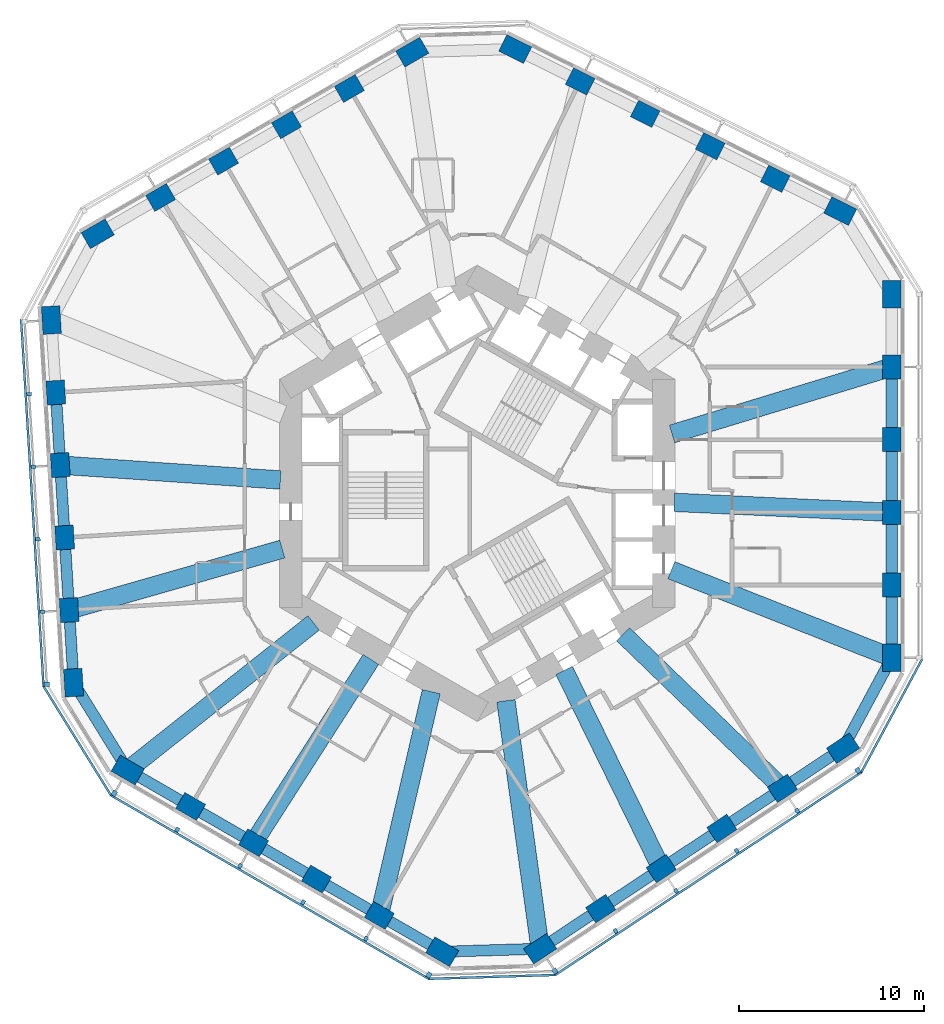
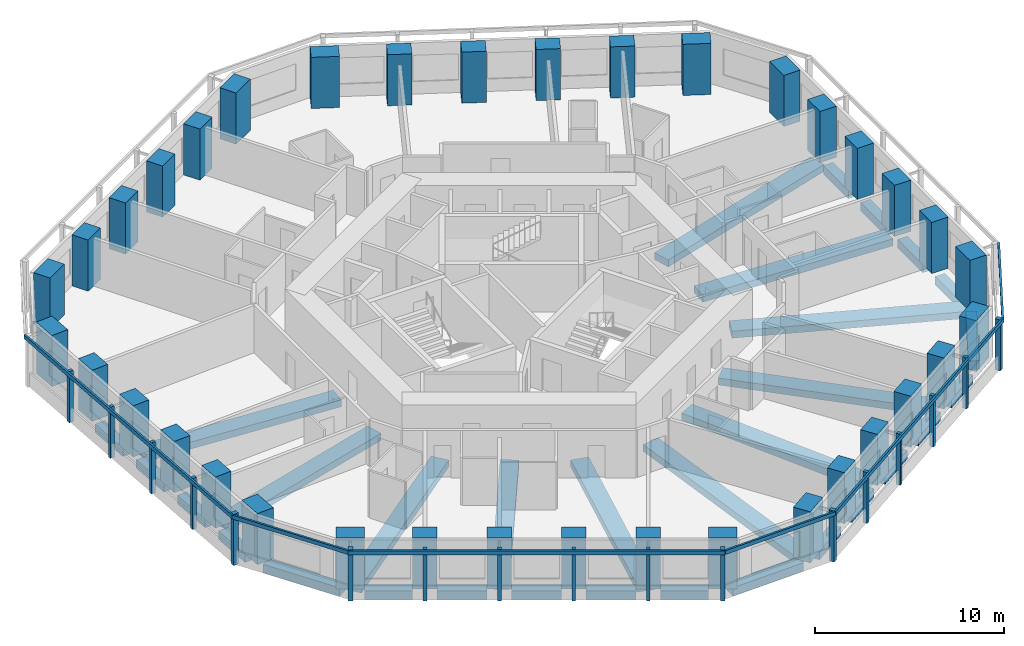
# One storey, part 1 of 12: 36 columns, 32 beams, 23 members, 6 elements without a shape of their own.
"""IFC4 building model written with IfcOpenShell, lengths in metres."""

from ifc_helpers import new_model, si_unit, direction, frame, origin, origin_2d, place, context, subcontext, project, spatial, rectangle, extrude, material, material_profile, profile_set, type_object, element, aggregate, save


model = new_model("IFC4")

# Units and contexts
model_context = context("Model", 3, precision=1e-05, world=origin(), true_north=direction((0.0, 1.0)))
body_context = subcontext(model_context, "Body", "Model", "MODEL_VIEW")
ifc_project = project(units=[si_unit("LENGTHUNIT", "METRE"), si_unit("AREAUNIT", "SQUARE_METRE"), si_unit("VOLUMEUNIT", "CUBIC_METRE"), si_unit("PLANEANGLEUNIT", "RADIAN"), si_unit("MASSUNIT", "GRAM", prefix="KILO")], contexts=[model_context])

# Site, building, storey
site_placement = place(None, origin())
site = spatial("IfcSite", under=ifc_project, at=site_placement, CompositionType="ELEMENT")
building_placement = place(site_placement, origin())
building = spatial("IfcBuilding", under=site, at=building_placement, Name="Vanh Sen Convention Tower", CompositionType="ELEMENT")
storey_placement = place(building_placement, frame((0.0, 0.0, 47.300048828125)))
storey = spatial("IfcBuildingStorey", under=building, at=storey_placement, Name="L08", CompositionType="ELEMENT", Elevation=47.300048828125)

# Columns
ifc_material_1 = material(Name="Concrete C80/95", Category="concrete")
ifc_material_profile_1 = material_profile(ifc_material_1, rectangle(XDim=1.300048828125, YDim=1.0, at=origin_2d()), Name="RC 1300X1000")
ifc_profile_set_1 = profile_set([ifc_material_profile_1], Name="Concrete C80/95")
column_type_1 = type_object("IfcColumnType", Name="Facade column 1300 x 1000 C80/95", PredefinedType="COLUMN", material=ifc_profile_set_1)
for number, where, z_axis, x_axis, name in (
    (1, (22.449951171875, -4.964599609375, 0.0), (0.0, 0.0, 1.0), (0.0, 1.0, 0.0), "Facade column 02 L08"),
    (2, (22.449951171875, -1.030029296875, 0.0), (0.0, 0.0, 1.0), (0.0, 1.0, 0.0), "Facade column 03 L08"),
    (3, (22.449951171875, 2.904541015625, 0.0), (0.0, 0.0, 1.0), (0.0, 1.0, 0.0), "Facade column 04 L08"),
    (4, (22.449951171875, 6.839111328125, 0.0), (0.0, 0.0, 1.0), (0.0, 1.0, 0.0), "Facade column 05 L08"),
    (5, (16.1376953125, 17.039794921875, 0.0), (0.0, 0.0, 1.0), (-0.894934361602, 0.44619781311, 0.0), "Facade column 08 L08"),
    (6, (12.616455078125, 18.79541015625, 0.0), (0.0, 0.0, 1.0), (-0.894934361602, 0.44619781311, 0.0), "Facade column 09 L08"),
    (7, (9.09521484375, 20.55078125, 0.0), (0.0, 0.0, 1.0), (-0.894934361602, 0.44619781311, 0.0), "Facade column 10 L08"),
    (8, (5.57421875, 22.306396484375, 0.0), (0.0, 0.0, 1.0), (-0.894934361602, 0.44619781311, 0.0), "Facade column 11 L08"),
    (9, (-6.925537109375, 21.924560546875, 0.0), (0.0, 0.0, 1.0), (-0.866025403784, -0.5, 0.0), "Facade column 14 L08"),
    (10, (-10.3330078125, 19.957275390625, 0.0), (0.0, 0.0, 1.0), (-0.866025403784, -0.5, 0.0), "Facade column 15 L08"),
    (11, (-13.740478515625, 17.989990234375, 0.0), (0.0, 0.0, 1.0), (-0.866025403784, -0.5, 0.0), "Facade column 16 L08"),
    (12, (-17.14794921875, 16.022705078125, 0.0), (0.0, 0.0, 1.0), (-0.866025403784, -0.5, 0.0), "Facade column 17 L08"),
    (13, (-22.82568359375, 5.455810546875, 0.0), (0.0, 0.0, 1.0), (0.061048539535, -0.998134798422, 0.0), "Facade column 20 L08"),
    (14, (-22.58544921875, 1.528564453125, 0.0), (0.0, 0.0, 1.0), (0.061048539535, -0.998134798422, 0.0), "Facade column 21 L08"),
    (15, (-22.34521484375, -2.398681640625, 0.0), (0.0, 0.0, 1.0), (0.061048539535, -0.998134798422, 0.0), "Facade column 22 L08"),
    (16, (-22.10498046875, -6.325927734375, 0.0), (0.0, 0.0, 1.0), (0.061048539535, -0.998134798422, 0.0), "Facade column 23 L08"),
    (17, (-15.5244140625, -16.9599609375, 0.0), (0.0, 0.0, 1.0), (0.866025403784, -0.5, 0.0), "Facade column 26 L08"),
    (18, (-12.1171875, -18.92724609375, 0.0), (0.0, 0.0, 1.0), (0.866025403784, -0.5, 0.0), "Facade column 27 L08"),
    (19, (-8.709716796875, -20.89453125, 0.0), (0.0, 0.0, 1.0), (0.866025403784, -0.5, 0.0), "Facade column 28 L08"),
    (20, (-5.302001953125, -22.86181640625, 0.0), (0.0, 0.0, 1.0), (0.866025403784, -0.5, 0.0), "Facade column 29 L08"),
    (21, (6.68798828125, -22.49560546875, 0.0), (0.0, 0.0, 1.0), (0.833885822067, 0.551936985312, 0.0), "Facade column 32 L08"),
    (22, (9.968994140625, -20.323974609375, 0.0), (0.0, 0.0, 1.0), (0.833885822067, 0.551936985312, 0.0), "Facade column 33 L08"),
    (23, (13.25, -18.152099609375, 0.0), (0.0, 0.0, 1.0), (0.833885822067, 0.551936985312, 0.0), "Facade column 34 L08"),
    (24, (16.531005859375, -15.980712890625, 0.0), (0.0, 0.0, 1.0), (0.833885822067, 0.551936985312, 0.0), "Facade column 35 L08"),
):
    element("IfcColumn", number, at=place(storey_placement, frame(where, z_axis=z_axis, x_axis=x_axis)), inside=storey, type_object=column_type_1, Name=name, PredefinedType="COLUMN", context=body_context, shape_type="SweptSolid", body=[
        extrude(rectangle(XDim=1.300048828125, YDim=1.0, at=origin_2d()), origin(), (0.0, 0.0, 1.0), 3.300048828125),
    ])
ifc_material_profile_2 = material_profile(ifc_material_1, rectangle(XDim=1.5, YDim=1.0, at=origin_2d()), Name="RC 1500X1000")
ifc_profile_set_2 = profile_set([ifc_material_profile_2], Name="Concrete C80/95")
column_type_2 = type_object("IfcColumnType", Name="Facade corner column 1500 x 1000 C80/95", PredefinedType="COLUMN", material=ifc_profile_set_2)
for number, where, z_axis, x_axis, name in (
    (25, (22.449951171875, -8.899169921875, 0.0), (0.0, 0.0, 1.0), (0.0, 1.0, 0.0), "Facade column 01 L08"),
    (26, (22.449951171875, 10.773681640625, 0.0), (0.0, 0.0, 1.0), (0.0, 1.0, 0.0), "Facade column 06 L08"),
    (27, (19.658935546875, 15.2841796875, 0.0), (0.0, 0.0, 1.0), (-0.894934361602, 0.44619781311, 0.0), "Facade column 07 L08"),
    (28, (2.052978515625, 24.06201171875, 0.0), (0.0, 0.0, 1.0), (-0.894934361602, 0.44619781311, 0.0), "Facade column 12 L08"),
    (29, (-3.51806640625, 23.891845703125, 0.0), (0.0, 0.0, 1.0), (-0.866025403784, -0.5, 0.0), "Facade column 13 L08"),
    (30, (-20.555419921875, 14.055419921875, 0.0), (0.0, 0.0, 1.0), (-0.866025403784, -0.5, 0.0), "Facade column 18 L08"),
    (31, (-23.06591796875, 9.383056640625, 0.0), (0.0, 0.0, 1.0), (0.061048539535, -0.998134798422, 0.0), "Facade column 19 L08"),
    (32, (-21.86474609375, -10.253173828125, 0.0), (0.0, 0.0, 1.0), (0.061048539535, -0.998134798422, 0.0), "Facade column 24 L08"),
    (33, (-18.931884765625, -14.99267578125, 0.0), (0.0, 0.0, 1.0), (0.866025403784, -0.5, 0.0), "Facade column 25 L08"),
    (34, (-1.894775390625, -24.8291015625, 0.0), (0.0, 0.0, 1.0), (0.866025403784, -0.5, 0.0), "Facade column 30 L08"),
    (35, (3.406982421875, -24.6669921875, 0.0), (0.0, 0.0, 1.0), (0.833885822067, 0.551936985312, 0.0), "Facade column 31 L08"),
    (36, (19.81201171875, -13.808837890625, 0.0), (0.0, 0.0, 1.0), (0.833885822067, 0.551936985312, 0.0), "Facade column 36 L08"),
):
    element("IfcColumn", number, at=place(storey_placement, frame(where, z_axis=z_axis, x_axis=x_axis)), inside=storey, type_object=column_type_2, Name=name, PredefinedType="COLUMN", context=body_context, shape_type="SweptSolid", body=[
        extrude(rectangle(XDim=1.5, YDim=1.0, at=origin_2d()), origin(), (0.0, 0.0, 1.0), 3.300048828125),
    ])

# Curtain wall, member
ifc_material_2 = material(Name="Concrete C50/60", Category="concrete")
curtain_wall_type = type_object("IfcCurtainWallType", Name="Outer skin hotel zone", PredefinedType="NOTDEFINED", material=ifc_material_2)
curtain_wall_1_placement = place(storey_placement, origin())
curtain_wall_1 = element("IfcCurtainWall", 37, at=curtain_wall_1_placement, inside=storey, type_object=curtain_wall_type, Name="OUTER SKIN W L08", PredefinedType="NOTDEFINED")
ifc_material_profile_3 = material_profile(ifc_material_2, rectangle(XDim=0.25, YDim=0.300048828125, at=origin_2d()), Name="Outer skin precast corner fin 250 x 300")
ifc_profile_set_3 = profile_set([ifc_material_profile_3], Name="Concrete C50/60")
member_type_1 = type_object("IfcMemberType", Name="Outer skin precast corner fin 250 x 300", PredefinedType="MULLION", material=ifc_profile_set_3)
member_1_placement = place(storey_placement, frame((-23.31201171875, -10.341796875, 0.0), z_axis=(0.0, 0.0, 1.0), x_axis=(0.061048539535, -0.998134798422, 0.0)))
member_1 = element("IfcMember", 38, at=member_1_placement, type_object=member_type_1, Name="OUTER SKIN CORNER FIN 6 W L08", PredefinedType="MULLION", context=body_context, shape_type="SweptSolid", body=[
    extrude(rectangle(XDim=0.25, YDim=0.300048828125, at=origin_2d()), origin(), (0.0, 0.0, 1.0), 3.300048828125),
])

# Curtain wall, members
curtain_wall_2_placement = place(storey_placement, origin())
curtain_wall_2 = element("IfcCurtainWall", 39, at=curtain_wall_2_placement, inside=storey, type_object=curtain_wall_type, Name="OUTER SKIN SW L08", PredefinedType="NOTDEFINED")
member_2_placement = place(storey_placement, frame((-19.656982421875, -16.248291015625, 0.0), z_axis=(0.0, 0.0, 1.0), x_axis=(0.866025403784, -0.5, 0.0)))
member_2 = element("IfcMember", 40, at=member_2_placement, type_object=member_type_1, Name="OUTER SKIN CORNER FIN 1 SW L08", PredefinedType="MULLION", context=body_context, shape_type="SweptSolid", body=[
    extrude(rectangle(XDim=0.25, YDim=0.300048828125, at=origin_2d()), origin(), (0.0, 0.0, 1.0), 3.300048828125),
])
member_3_placement = place(storey_placement, frame((-2.61962890625, -26.084716796875, 0.0), z_axis=(0.0, 0.0, 1.0), x_axis=(0.866025403784, -0.5, 0.0)))
member_3 = element("IfcMember", 41, at=member_3_placement, type_object=member_type_1, Name="OUTER SKIN CORNER FIN 6 SW L08", PredefinedType="MULLION", context=body_context, shape_type="SweptSolid", body=[
    extrude(rectangle(XDim=0.25, YDim=0.300048828125, at=origin_2d()), origin(), (0.0, 0.0, 1.0), 3.300048828125),
])

curtain_wall_3_placement = place(storey_placement, origin())
curtain_wall_3 = element("IfcCurtainWall", 42, at=curtain_wall_3_placement, inside=storey, type_object=curtain_wall_type, Name="OUTER SKIN SE L08", PredefinedType="NOTDEFINED")
member_4_placement = place(storey_placement, frame((4.207275390625, -25.876220703125, 0.0), z_axis=(0.0, 0.0, 1.0), x_axis=(0.833885822067, 0.551936985312, 0.0)))
member_4 = element("IfcMember", 43, at=member_4_placement, type_object=member_type_1, Name="OUTER SKIN CORNER FIN 1 SE L08", PredefinedType="MULLION", context=body_context, shape_type="SweptSolid", body=[
    extrude(rectangle(XDim=0.25, YDim=0.300048828125, at=origin_2d()), origin(), (0.0, 0.0, 1.0), 3.300048828125),
])
member_5_placement = place(storey_placement, frame((20.6123046875, -15.01806640625, 0.0), z_axis=(0.0, 0.0, 1.0), x_axis=(0.833885822067, 0.551936985312, 0.0)))
member_5 = element("IfcMember", 44, at=member_5_placement, type_object=member_type_1, Name="OUTER SKIN CORNER FIN 6 SE L08", PredefinedType="MULLION", context=body_context, shape_type="SweptSolid", body=[
    extrude(rectangle(XDim=0.25, YDim=0.300048828125, at=origin_2d()), origin(), (0.0, 0.0, 1.0), 3.300048828125),
])

# Member
ifc_material_profile_4 = material_profile(ifc_material_2, rectangle(XDim=0.199951171875, YDim=0.25, at=origin_2d()), Name="Outer skin precast fin 200 x 250")
ifc_profile_set_4 = profile_set([ifc_material_profile_4], Name="Concrete C50/60")
member_type_2 = type_object("IfcMemberType", Name="Outer skin precast fin 200 x 250", PredefinedType="MULLION", material=ifc_profile_set_4)
member_6_placement = place(storey_placement, frame((-24.27294921875, 5.3671875, 0.0), z_axis=(0.0, 0.0, 1.0), x_axis=(0.061048539535, -0.998134798422, 0.0)))
member_6 = element("IfcMember", 45, at=member_6_placement, type_object=member_type_2, Name="OUTER SKIN fin 2 W L08", PredefinedType="MULLION", context=body_context, shape_type="SweptSolid", body=[
    extrude(rectangle(XDim=0.199951171875, YDim=0.25, at=origin_2d()), origin(), (0.0, 0.0, 1.0), 3.300048828125),
])

member_7_placement = place(storey_placement, frame((-24.03271484375, 1.440185546875, 0.0), z_axis=(0.0, 0.0, 1.0), x_axis=(0.061048539535, -0.998134798422, 0.0)))
member_7 = element("IfcMember", 46, at=member_7_placement, type_object=member_type_2, Name="OUTER SKIN fin 3 W L08", PredefinedType="MULLION", context=body_context, shape_type="SweptSolid", body=[
    extrude(rectangle(XDim=0.199951171875, YDim=0.25, at=origin_2d()), origin(), (0.0, 0.0, 1.0), 3.300048828125),
])

member_8_placement = place(storey_placement, frame((-23.79248046875, -2.4873046875, 0.0), z_axis=(0.0, 0.0, 1.0), x_axis=(0.061048539535, -0.998134798422, 0.0)))
member_8 = element("IfcMember", 47, at=member_8_placement, type_object=member_type_2, Name="OUTER SKIN fin 4 W L08", PredefinedType="MULLION", context=body_context, shape_type="SweptSolid", body=[
    extrude(rectangle(XDim=0.199951171875, YDim=0.25, at=origin_2d()), origin(), (0.0, 0.0, 1.0), 3.300048828125),
])

member_9_placement = place(storey_placement, frame((-23.55224609375, -6.414306640625, 0.0), z_axis=(0.0, 0.0, 1.0), x_axis=(0.061048539535, -0.998134798422, 0.0)))
member_9 = element("IfcMember", 48, at=member_9_placement, type_object=member_type_2, Name="OUTER SKIN fin 5 W L08", PredefinedType="MULLION", context=body_context, shape_type="SweptSolid", body=[
    extrude(rectangle(XDim=0.199951171875, YDim=0.25, at=origin_2d()), origin(), (0.0, 0.0, 1.0), 3.300048828125),
])

member_10_placement = place(storey_placement, frame((-16.24951171875, -18.2158203125, 0.0), z_axis=(0.0, 0.0, 1.0), x_axis=(0.866025403784, -0.5, 0.0)))
member_10 = element("IfcMember", 49, at=member_10_placement, type_object=member_type_2, Name="OUTER SKIN fin 2 SW L08", PredefinedType="MULLION", context=body_context, shape_type="SweptSolid", body=[
    extrude(rectangle(XDim=0.199951171875, YDim=0.25, at=origin_2d()), origin(), (0.0, 0.0, 1.0), 3.300048828125),
])

member_11_placement = place(storey_placement, frame((-12.842041015625, -20.182861328125, 0.0), z_axis=(0.0, 0.0, 1.0), x_axis=(0.866025403784, -0.5, 0.0)))
member_11 = element("IfcMember", 50, at=member_11_placement, type_object=member_type_2, Name="OUTER SKIN fin 3 SW L08", PredefinedType="MULLION", context=body_context, shape_type="SweptSolid", body=[
    extrude(rectangle(XDim=0.199951171875, YDim=0.25, at=origin_2d()), origin(), (0.0, 0.0, 1.0), 3.300048828125),
])

member_12_placement = place(storey_placement, frame((-9.4345703125, -22.150146484375, 0.0), z_axis=(0.0, 0.0, 1.0), x_axis=(0.866025403784, -0.5, 0.0)))
member_12 = element("IfcMember", 51, at=member_12_placement, type_object=member_type_2, Name="OUTER SKIN fin 4 SW L08", PredefinedType="MULLION", context=body_context, shape_type="SweptSolid", body=[
    extrude(rectangle(XDim=0.199951171875, YDim=0.25, at=origin_2d()), origin(), (0.0, 0.0, 1.0), 3.300048828125),
])

member_13_placement = place(storey_placement, frame((-6.027099609375, -24.117431640625, 0.0), z_axis=(0.0, 0.0, 1.0), x_axis=(0.866025403784, -0.5, 0.0)))
member_13 = element("IfcMember", 52, at=member_13_placement, type_object=member_type_2, Name="OUTER SKIN fin 5 SW L08", PredefinedType="MULLION", context=body_context, shape_type="SweptSolid", body=[
    extrude(rectangle(XDim=0.199951171875, YDim=0.25, at=origin_2d()), origin(), (0.0, 0.0, 1.0), 3.300048828125),
])

member_14_placement = place(storey_placement, frame((7.48828125, -23.70458984375, 0.0), z_axis=(0.0, 0.0, 1.0), x_axis=(0.833885822067, 0.551936985312, 0.0)))
member_14 = element("IfcMember", 53, at=member_14_placement, type_object=member_type_2, Name="OUTER SKIN fin 2 SE L08", PredefinedType="MULLION", context=body_context, shape_type="SweptSolid", body=[
    extrude(rectangle(XDim=0.199951171875, YDim=0.25, at=origin_2d()), origin(), (0.0, 0.0, 1.0), 3.300048828125),
])

member_15_placement = place(storey_placement, frame((10.769287109375, -21.532958984375, 0.0), z_axis=(0.0, 0.0, 1.0), x_axis=(0.833885822067, 0.551936985312, 0.0)))
member_15 = element("IfcMember", 54, at=member_15_placement, type_object=member_type_2, Name="OUTER SKIN fin 3 SE L08", PredefinedType="MULLION", context=body_context, shape_type="SweptSolid", body=[
    extrude(rectangle(XDim=0.199951171875, YDim=0.25, at=origin_2d()), origin(), (0.0, 0.0, 1.0), 3.300048828125),
])

member_16_placement = place(storey_placement, frame((14.05029296875, -19.361328125, 0.0), z_axis=(0.0, 0.0, 1.0), x_axis=(0.833885822067, 0.551936985312, 0.0)))
member_16 = element("IfcMember", 55, at=member_16_placement, type_object=member_type_2, Name="OUTER SKIN fin 4 SE L08", PredefinedType="MULLION", context=body_context, shape_type="SweptSolid", body=[
    extrude(rectangle(XDim=0.199951171875, YDim=0.25, at=origin_2d()), origin(), (0.0, 0.0, 1.0), 3.300048828125),
])

member_17_placement = place(storey_placement, frame((17.331298828125, -17.189697265625, 0.0), z_axis=(0.0, 0.0, 1.0), x_axis=(0.833885822067, 0.551936985312, 0.0)))
member_17 = element("IfcMember", 56, at=member_17_placement, type_object=member_type_2, Name="OUTER SKIN fin 5 SE L08", PredefinedType="MULLION", context=body_context, shape_type="SweptSolid", body=[
    extrude(rectangle(XDim=0.199951171875, YDim=0.25, at=origin_2d()), origin(), (0.0, 0.0, 1.0), 3.300048828125),
])

ifc_material_profile_5 = material_profile(ifc_material_2, rectangle(XDim=0.1201171875, YDim=0.25, at=origin_2d()), Name="Outer skin precast spandrel band 250 x 120")
ifc_profile_set_5 = profile_set([ifc_material_profile_5], Name="Concrete C50/60")
member_type_3 = type_object("IfcMemberType", Name="Outer skin precast spandrel band 250 x 120", PredefinedType="USERDEFINED", material=ifc_profile_set_5)
member_18_placement = place(storey_placement, frame((-24.705322265625, 9.408203125, 3.175048828125), z_axis=(0.061050017989, -0.998134707995, 0.0), x_axis=(0.998134707995, 0.061050017989, 0.0)))
member_18 = element("IfcMember", 57, at=member_18_placement, type_object=member_type_3, Name="OUTER SKIN spandrel band W L08", ObjectType="TRANSOM", PredefinedType="USERDEFINED", context=body_context, shape_type="SweptSolid", body=[
    extrude(rectangle(XDim=0.1201171875, YDim=0.25, at=origin_2d()), origin(), (0.0, 0.0, 1.0), 19.923095703125),
])

aggregate(curtain_wall_1, [member_6, member_7, member_8, member_9, member_1, member_18])

# Curtain wall, member
curtain_wall_4_placement = place(storey_placement, origin())
curtain_wall_4 = element("IfcCurtainWall", 58, at=curtain_wall_4_placement, inside=storey, type_object=curtain_wall_type, Name="OUTER SKIN CH4 L08", PredefinedType="NOTDEFINED")
member_19_placement = place(storey_placement, frame((-23.49072265625, -10.4521484375, 3.175048828125), z_axis=(0.526196095141, -0.850363257354, 0.0), x_axis=(0.850363257354, 0.526196095141, 0.0)))
member_19 = element("IfcMember", 59, at=member_19_placement, type_object=member_type_3, Name="OUTER SKIN spandrel band CH4 L08", ObjectType="TRANSOM", PredefinedType="USERDEFINED", context=body_context, shape_type="SweptSolid", body=[
    extrude(rectangle(XDim=0.1201171875, YDim=0.25, at=origin_2d()), origin(), (0.0, 0.0, 1.0), 6.946044921875),
])
aggregate(curtain_wall_4, [member_19])

# Member
member_20_placement = place(storey_placement, frame((-19.85791015625, -16.34619140625, 3.175048828125), z_axis=(0.866028047459, -0.499995420993, 0.0), x_axis=(0.499995420993, 0.866028047459, 0.0)))
member_20 = element("IfcMember", 60, at=member_20_placement, type_object=member_type_3, Name="OUTER SKIN spandrel band SW L08", ObjectType="TRANSOM", PredefinedType="USERDEFINED", context=body_context, shape_type="SweptSolid", body=[
    extrude(rectangle(XDim=0.1201171875, YDim=0.25, at=origin_2d()), origin(), (0.0, 0.0, 1.0), 19.923095703125),
])

aggregate(curtain_wall_2, [member_2, member_10, member_11, member_12, member_13, member_3, member_20])

# Curtain wall, member
curtain_wall_5_placement = place(storey_placement, origin())
curtain_wall_5 = element("IfcCurtainWall", 61, at=curtain_wall_5_placement, inside=storey, type_object=curtain_wall_type, Name="OUTER SKIN CH5 L08", PredefinedType="NOTDEFINED")
member_21_placement = place(storey_placement, frame((-2.61328125, -26.294677734375, 3.175048828125), z_axis=(0.99953396928, 0.030526124156, 0.0), x_axis=(-0.030526124156, 0.99953396928, 0.0)))
member_21 = element("IfcMember", 62, at=member_21_placement, type_object=member_type_3, Name="OUTER SKIN spandrel band CH5 L08", ObjectType="TRANSOM", PredefinedType="USERDEFINED", context=body_context, shape_type="SweptSolid", body=[
    extrude(rectangle(XDim=0.1201171875, YDim=0.25, at=origin_2d()), origin(), (0.0, 0.0, 1.0), 6.830078125),
])
aggregate(curtain_wall_5, [member_21])

# Member
member_22_placement = place(storey_placement, frame((4.205078125, -26.099609375, 3.175048828125), z_axis=(0.833883851182, 0.551939962984, 0.0), x_axis=(-0.551939962984, 0.833883851182, 0.0)))
member_22 = element("IfcMember", 63, at=member_22_placement, type_object=member_type_3, Name="OUTER SKIN spandrel band SE L08", ObjectType="TRANSOM", PredefinedType="USERDEFINED", context=body_context, shape_type="SweptSolid", body=[
    extrude(rectangle(XDim=0.1201171875, YDim=0.25, at=origin_2d()), origin(), (0.0, 0.0, 1.0), 19.923095703125),
])

aggregate(curtain_wall_3, [member_4, member_14, member_15, member_16, member_17, member_5, member_22])

# Curtain wall, member
curtain_wall_6_placement = place(storey_placement, origin())
curtain_wall_6 = element("IfcCurtainWall", 64, at=curtain_wall_6_placement, inside=storey, type_object=curtain_wall_type, Name="OUTER SKIN CH6 L08", PredefinedType="NOTDEFINED")
member_23_placement = place(storey_placement, frame((20.797119140625, -15.117431640625, 3.175048828125), z_axis=(0.473324148816, 0.880888330123, 0.0), x_axis=(-0.880888330123, 0.473324148816, 0.0)))
member_23 = element("IfcMember", 65, at=member_23_placement, type_object=member_type_3, Name="OUTER SKIN spandrel band CH6 L08", ObjectType="TRANSOM", PredefinedType="USERDEFINED", context=body_context, shape_type="SweptSolid", body=[
    extrude(rectangle(XDim=0.1201171875, YDim=0.25, at=origin_2d()), origin(), (0.0, 0.0, 1.0), 6.9462890625),
])
aggregate(curtain_wall_6, [member_23])

# Beams
ifc_material_3 = material(Name="Concrete C50/60", Category="concrete")
ifc_material_profile_6 = material_profile(ifc_material_3, rectangle(XDim=1.0, YDim=0.449951171875, at=origin_2d()), Name="RC 1000X450")
ifc_profile_set_6 = profile_set([ifc_material_profile_6], Name="Concrete C50/60")
beam_type_1 = type_object("IfcBeamType", Name="Radial floor beam 1000 x 450", PredefinedType="BEAM", material=ifc_profile_set_6)
beam_1_placement = place(storey_placement, frame((22.138916015625, -8.77587890625, -0.47509765625), z_axis=(-0.929624483463, 0.368508235655, 0.0), x_axis=(-0.368508235655, -0.929624483463, 0.0)))
element("IfcBeam", 66, at=beam_1_placement, inside=storey, type_object=beam_type_1, Name="Radial beam 01 L08", PredefinedType="BEAM", context=body_context, shape_type="SweptSolid", body=[
    extrude(rectangle(XDim=1.0, YDim=0.449951171875, at=origin_2d()), origin(), (0.0, 0.0, 1.0), 12.50830078125),
])
beam_2_placement = place(storey_placement, frame((21.977783203125, -1.00830078125, -0.47509765625), z_axis=(-0.998949774884, 0.045818634401, 0.0), x_axis=(-0.045818634401, -0.998949774884, 0.0)))
element("IfcBeam", 67, at=beam_2_placement, inside=storey, type_object=beam_type_1, Name="Radial beam 02 L08", PredefinedType="BEAM", context=body_context, shape_type="SweptSolid", body=[
    extrude(rectangle(XDim=1.0, YDim=0.449951171875, at=origin_2d()), origin(), (0.0, 0.0, 1.0), 11.317626953125),
])
beam_3_placement = place(storey_placement, frame((22.1005859375, 6.732666015625, -0.47509765625), z_axis=(-0.95659843119, -0.291409405211, 0.0), x_axis=(0.291409405211, -0.95659843119, 0.0)))
element("IfcBeam", 68, at=beam_3_placement, inside=storey, type_object=beam_type_1, Name="Radial beam 03 L08", PredefinedType="BEAM", context=body_context, shape_type="SweptSolid", body=[
    extrude(rectangle(XDim=1.0, YDim=0.449951171875, at=origin_2d()), origin(), (0.0, 0.0, 1.0), 12.0751953125),
])
beam_4_placement = place(storey_placement, frame((-22.15185546875, 1.499267578125, -0.47509765625), z_axis=(0.997718156648, -0.067516515721, 0.0), x_axis=(0.067516515721, 0.997718156648, 0.0)))
element("IfcBeam", 69, at=beam_4_placement, inside=storey, type_object=beam_type_1, Name="Radial beam 11 L08", PredefinedType="BEAM", context=body_context, shape_type="SweptSolid", body=[
    extrude(rectangle(XDim=1.0, YDim=0.449951171875, at=origin_2d()), origin(), (0.0, 0.0, 1.0), 11.51708984375),
])
beam_5_placement = place(storey_placement, frame((-21.723876953125, -6.216796875, -0.47509765625), z_axis=(0.961405669021, 0.275134766203, 0.0), x_axis=(-0.275134766203, 0.961405669021, 0.0)))
element("IfcBeam", 70, at=beam_5_placement, inside=storey, type_object=beam_type_1, Name="Radial beam 12 L08", PredefinedType="BEAM", context=body_context, shape_type="SweptSolid", body=[
    extrude(rectangle(XDim=1.0, YDim=0.449951171875, at=origin_2d()), origin(), (0.0, 0.0, 1.0), 11.614501953125),
])
beam_6_placement = place(storey_placement, frame((-18.669677734375, -14.784912109375, -0.47509765625), z_axis=(0.783946075621, 0.620828922102, 0.0), x_axis=(-0.620828922102, 0.783946075621, 0.0)))
element("IfcBeam", 71, at=beam_6_placement, inside=storey, type_object=beam_type_1, Name="Radial beam 13 L08", PredefinedType="BEAM", context=body_context, shape_type="SweptSolid", body=[
    extrude(rectangle(XDim=1.0, YDim=0.449951171875, at=origin_2d()), origin(), (0.0, 0.0, 1.0), 12.508056640625),
])
beam_7_placement = place(storey_placement, frame((-11.8623046875, -18.529296875, -0.47509765625), z_axis=(0.539168157523, 0.842198134594, 0.0), x_axis=(-0.842198134594, 0.539168157523, 0.0)))
element("IfcBeam", 72, at=beam_7_placement, inside=storey, type_object=beam_type_1, Name="Radial beam 14 L08", PredefinedType="BEAM", context=body_context, shape_type="SweptSolid", body=[
    extrude(rectangle(XDim=1.0, YDim=0.449951171875, at=origin_2d()), origin(), (0.0, 0.0, 1.0), 11.31787109375),
])
beam_8_placement = place(storey_placement, frame((-5.219482421875, -22.505859375, -0.47509765625), z_axis=(0.225921069531, 0.974145610441, 0.0), x_axis=(-0.974145610441, 0.225921069531, 0.0)))
element("IfcBeam", 73, at=beam_8_placement, inside=storey, type_object=beam_type_1, Name="Radial beam 15 L08", PredefinedType="BEAM", context=body_context, shape_type="SweptSolid", body=[
    extrude(rectangle(XDim=1.0, YDim=0.449951171875, at=origin_2d()), origin(), (0.0, 0.0, 1.0), 12.0751953125),
])
beam_9_placement = place(storey_placement, frame((3.364501953125, -24.3603515625, -0.47509765625), z_axis=(-0.136807007089, 0.990597719971, 0.0), x_axis=(-0.990597719971, -0.136807007089, 0.0)))
element("IfcBeam", 74, at=beam_9_placement, inside=storey, type_object=beam_type_1, Name="Radial beam 16 L08", PredefinedType="BEAM", context=body_context, shape_type="SweptSolid", body=[
    extrude(rectangle(XDim=1.0, YDim=0.449951171875, at=origin_2d()), origin(), (0.0, 0.0, 1.0), 13.24853515625),
])
beam_10_placement = place(storey_placement, frame((9.777587890625, -19.933837890625, -0.47509765625), z_axis=(-0.440374700847, 0.897814080339, 0.0), x_axis=(-0.897814080339, -0.440374700847, 0.0)))
element("IfcBeam", 75, at=beam_10_placement, inside=storey, type_object=beam_type_1, Name="Radial beam 17 L08", PredefinedType="BEAM", context=body_context, shape_type="SweptSolid", body=[
    extrude(rectangle(XDim=1.0, YDim=0.449951171875, at=origin_2d()), origin(), (0.0, 0.0, 1.0), 11.516845703125),
])
beam_11_placement = place(storey_placement, frame((16.245849609375, -15.705078125, -0.47509765625), z_axis=(-0.718976471313, 0.695034411881, 0.0), x_axis=(-0.695034411881, -0.718976471313, 0.0)))
element("IfcBeam", 76, at=beam_11_placement, inside=storey, type_object=beam_type_1, Name="Radial beam 18 L08", PredefinedType="BEAM", context=body_context, shape_type="SweptSolid", body=[
    extrude(rectangle(XDim=1.0, YDim=0.449951171875, at=origin_2d()), origin(), (0.0, 0.0, 1.0), 11.614501953125),
])
ifc_material_profile_7 = material_profile(ifc_material_3, rectangle(XDim=0.60009765625, YDim=0.550048828125, at=origin_2d()), Name="RC 600X550")
ifc_profile_set_7 = profile_set([ifc_material_profile_7], Name="Concrete C50/60")
beam_type_2 = type_object("IfcBeamType", Name="Spandrel beam 600 x 550", PredefinedType="SPANDREL", material=ifc_profile_set_7)
beam_12_placement = place(storey_placement, frame((22.449951171875, -8.154296875, -0.525146484375), z_axis=(0.0, 1.0, 0.0), x_axis=(-1.0, 0.0, 0.0)))
element("IfcBeam", 77, at=beam_12_placement, inside=storey, type_object=beam_type_2, Name="Spandrel beam 01 L08", PredefinedType="SPANDREL", context=body_context, shape_type="SweptSolid", body=[
    extrude(rectangle(XDim=0.60009765625, YDim=0.550048828125, at=origin_2d()), origin(), (0.0, 0.0, 1.0), 2.544677734375),
])
for number, where, z_axis, x_axis, name in (
    (78, (22.449951171875, -4.319580078125, -0.525146484375), (0.0, 1.0, 0.0), (-1.0, 0.0, 0.0), "Spandrel beam 02 L08"),
    (79, (22.449951171875, -0.385009765625, -0.525146484375), (0.0, 1.0, 0.0), (-1.0, 0.0, 0.0), "Spandrel beam 03 L08"),
    (80, (22.449951171875, 3.549560546875, -0.525146484375), (0.0, 1.0, 0.0), (-1.0, 0.0, 0.0), "Spandrel beam 04 L08"),
    (81, (-22.7861328125, 4.81201171875, -0.525146484375), (0.061021844318, -0.998136430813, 0.0), (0.998136430813, 0.061021844318, 0.0), "Spandrel beam 20 L08"),
    (82, (-22.5458984375, 0.884765625, -0.525146484375), (0.061021844318, -0.998136430813, 0.0), (0.998136430813, 0.061021844318, 0.0), "Spandrel beam 21 L08"),
    (83, (-22.305908203125, -3.04248046875, -0.525146484375), (0.061113817246, -0.998130803723, 0.0), (0.998130803723, 0.061113817246, 0.0), "Spandrel beam 22 L08"),
):
    element("IfcBeam", number, at=place(storey_placement, frame(where, z_axis=z_axis, x_axis=x_axis)), inside=storey, type_object=beam_type_2, Name=name, PredefinedType="SPANDREL", context=body_context, shape_type="SweptSolid", body=[
        extrude(rectangle(XDim=0.60009765625, YDim=0.550048828125, at=origin_2d()), origin(), (0.0, 0.0, 1.0), 2.64453125),
    ])
beam_13_placement = place(storey_placement, frame((-22.065673828125, -6.9697265625, -0.525146484375), z_axis=(0.061022277531, -0.998136404328, 0.0), x_axis=(0.998136404328, 0.061022277531, 0.0)))
element("IfcBeam", 84, at=beam_13_placement, inside=storey, type_object=beam_type_2, Name="Spandrel beam 23 L08", PredefinedType="SPANDREL", context=body_context, shape_type="SweptSolid", body=[
    extrude(rectangle(XDim=0.60009765625, YDim=0.550048828125, at=origin_2d()), origin(), (0.0, 0.0, 1.0), 2.54443359375),
])
beam_14_placement = place(storey_placement, frame((-21.605224609375, -10.672607421875, -0.525146484375), z_axis=(0.526195204359, -0.850363808561, 0.0), x_axis=(0.850363808561, 0.526195204359, 0.0)))
element("IfcBeam", 85, at=beam_14_placement, inside=storey, type_object=beam_type_2, Name="Spandrel beam 24 L08", PredefinedType="SPANDREL", context=body_context, shape_type="SweptSolid", body=[
    extrude(rectangle(XDim=0.60009765625, YDim=0.550048828125, at=origin_2d()), origin(), (0.0, 0.0, 1.0), 4.58740234375),
])
beam_15_placement = place(storey_placement, frame((-18.286865234375, -15.365234375, -0.525146484375), z_axis=(0.866056180903, -0.499946688677, 0.0), x_axis=(0.499946688677, 0.866056180903, 0.0)))
element("IfcBeam", 86, at=beam_15_placement, inside=storey, type_object=beam_type_2, Name="Spandrel beam 25 L08", PredefinedType="SPANDREL", context=body_context, shape_type="SweptSolid", body=[
    extrude(rectangle(XDim=0.60009765625, YDim=0.550048828125, at=origin_2d()), origin(), (0.0, 0.0, 1.0), 2.544677734375),
])
beam_16_placement = place(storey_placement, frame((-14.9658203125, -17.282470703125, -0.525146484375), z_axis=(0.866007234284, -0.500031469177, 0.0), x_axis=(0.500031469177, 0.866007234284, 0.0)))
element("IfcBeam", 87, at=beam_16_placement, inside=storey, type_object=beam_type_2, Name="Spandrel beam 26 L08", PredefinedType="SPANDREL", context=body_context, shape_type="SweptSolid", body=[
    extrude(rectangle(XDim=0.60009765625, YDim=0.550048828125, at=origin_2d()), origin(), (0.0, 0.0, 1.0), 2.644287109375),
])
for number, where, z_axis, x_axis, name in (
    (88, (-11.55859375, -19.249755859375, -0.525146484375), (0.866030315638, -0.499991492324, 0.0), (0.499991492324, 0.866030315638, 0.0), "Spandrel beam 27 L08"),
    (89, (-8.15087890625, -21.217041015625, -0.525146484375), (0.866030315638, -0.499991492324, 0.0), (0.499991492324, 0.866030315638, 0.0), "Spandrel beam 28 L08"),
):
    element("IfcBeam", number, at=place(storey_placement, frame(where, z_axis=z_axis, x_axis=x_axis)), inside=storey, type_object=beam_type_2, Name=name, PredefinedType="SPANDREL", context=body_context, shape_type="SweptSolid", body=[
        extrude(rectangle(XDim=0.60009765625, YDim=0.550048828125, at=origin_2d()), origin(), (0.0, 0.0, 1.0), 2.64453125),
    ])
beam_17_placement = place(storey_placement, frame((-4.743408203125, -23.184326171875, -0.525146484375), z_axis=(0.866032197868, -0.499988232117, 0.0), x_axis=(0.499988232117, 0.866032197868, 0.0)))
element("IfcBeam", 90, at=beam_17_placement, inside=storey, type_object=beam_type_2, Name="Spandrel beam 29 L08", PredefinedType="SPANDREL", context=body_context, shape_type="SweptSolid", body=[
    extrude(rectangle(XDim=0.60009765625, YDim=0.550048828125, at=origin_2d()), origin(), (0.0, 0.0, 1.0), 2.54443359375),
])
beam_18_placement = place(storey_placement, frame((-1.4345703125, -24.81494140625, -0.525146484375), z_axis=(0.999534100542, 0.030521825872, 0.0), x_axis=(-0.030521825872, 0.999534100542, 0.0)))
element("IfcBeam", 91, at=beam_18_placement, inside=storey, type_object=beam_type_2, Name="Spandrel beam 30 L08", PredefinedType="SPANDREL", context=body_context, shape_type="SweptSolid", body=[
    extrude(rectangle(XDim=0.60009765625, YDim=0.550048828125, at=origin_2d()), origin(), (0.0, 0.0, 1.0), 4.38330078125),
])
beam_19_placement = place(storey_placement, frame((4.028076171875, -24.255859375, -0.525146484375), z_axis=(0.833905579906, 0.551907133313, 0.0), x_axis=(-0.551907133313, 0.833905579906, 0.0)))
element("IfcBeam", 92, at=beam_19_placement, inside=storey, type_object=beam_type_2, Name="Spandrel beam 31 L08", PredefinedType="SPANDREL", context=body_context, shape_type="SweptSolid", body=[
    extrude(rectangle(XDim=0.60009765625, YDim=0.550048828125, at=origin_2d()), origin(), (0.0, 0.0, 1.0), 2.54443359375),
])
beam_20_placement = place(storey_placement, frame((7.225830078125, -22.139404296875, -0.525146484375), z_axis=(0.833892212548, 0.551927330227, 0.0), x_axis=(-0.551927330227, 0.833892212548, 0.0)))
element("IfcBeam", 93, at=beam_20_placement, inside=storey, type_object=beam_type_2, Name="Spandrel beam 32 L08", PredefinedType="SPANDREL", context=body_context, shape_type="SweptSolid", body=[
    extrude(rectangle(XDim=0.60009765625, YDim=0.550048828125, at=origin_2d()), origin(), (0.0, 0.0, 1.0), 2.644287109375),
])
beam_21_placement = place(storey_placement, frame((10.5068359375, -19.968017578125, -0.525146484375), z_axis=(0.833849719202, 0.551991526916, 0.0), x_axis=(-0.551991526916, 0.833849719202, 0.0)))
element("IfcBeam", 94, at=beam_21_placement, inside=storey, type_object=beam_type_2, Name="Spandrel beam 33 L08", PredefinedType="SPANDREL", context=body_context, shape_type="SweptSolid", body=[
    extrude(rectangle(XDim=0.60009765625, YDim=0.550048828125, at=origin_2d()), origin(), (0.0, 0.0, 1.0), 2.64453125),
])
beam_22_placement = place(storey_placement, frame((13.787841796875, -17.796142578125, -0.525146484375), z_axis=(0.833892212548, 0.551927330227, 0.0), x_axis=(-0.551927330227, 0.833892212548, 0.0)))
element("IfcBeam", 95, at=beam_22_placement, inside=storey, type_object=beam_type_2, Name="Spandrel beam 34 L08", PredefinedType="SPANDREL", context=body_context, shape_type="SweptSolid", body=[
    extrude(rectangle(XDim=0.60009765625, YDim=0.550048828125, at=origin_2d()), origin(), (0.0, 0.0, 1.0), 2.644287109375),
])
beam_23_placement = place(storey_placement, frame((17.06884765625, -15.62451171875, -0.525146484375), z_axis=(0.833905579906, 0.551907133313, 0.0), x_axis=(-0.551907133313, 0.833905579906, 0.0)))
element("IfcBeam", 96, at=beam_23_placement, inside=storey, type_object=beam_type_2, Name="Spandrel beam 35 L08", PredefinedType="SPANDREL", context=body_context, shape_type="SweptSolid", body=[
    extrude(rectangle(XDim=0.60009765625, YDim=0.550048828125, at=origin_2d()), origin(), (0.0, 0.0, 1.0), 2.54443359375),
])
beam_24_placement = place(storey_placement, frame((20.04541015625, -13.37451171875, -0.525146484375), z_axis=(0.473290328657, 0.880906501735, 0.0), x_axis=(-0.880906501735, 0.473290328657, 0.0)))
element("IfcBeam", 97, at=beam_24_placement, inside=storey, type_object=beam_type_2, Name="Spandrel beam 36 L08", PredefinedType="SPANDREL", context=body_context, shape_type="SweptSolid", body=[
    extrude(rectangle(XDim=0.60009765625, YDim=0.550048828125, at=origin_2d()), origin(), (0.0, 0.0, 1.0), 4.58740234375),
])

save(model, "model.ifc")
